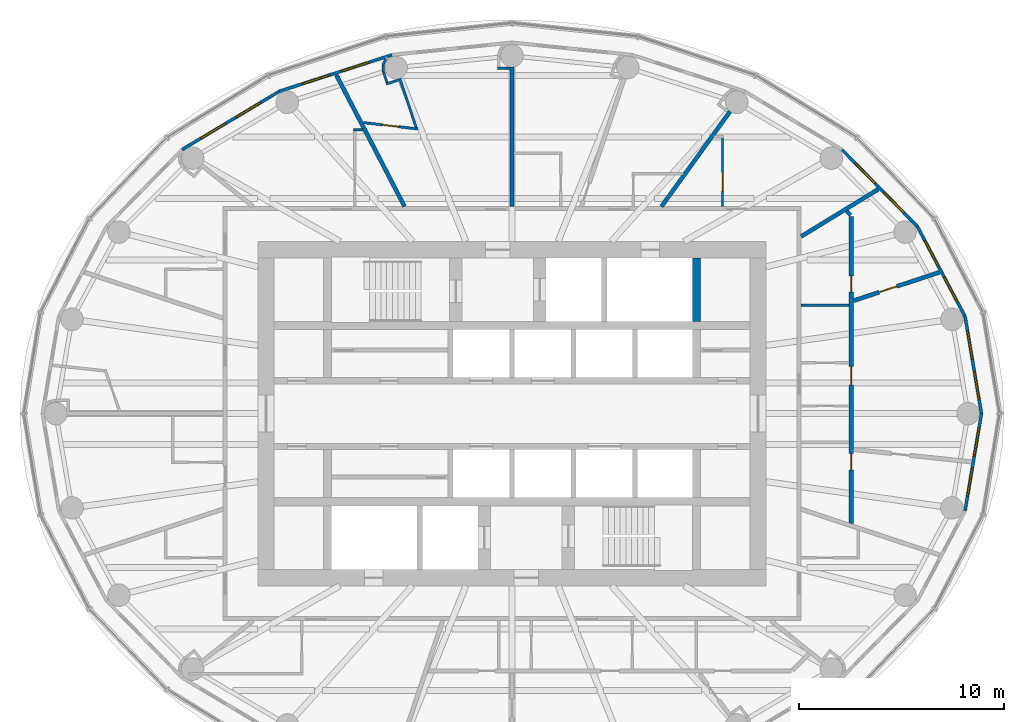
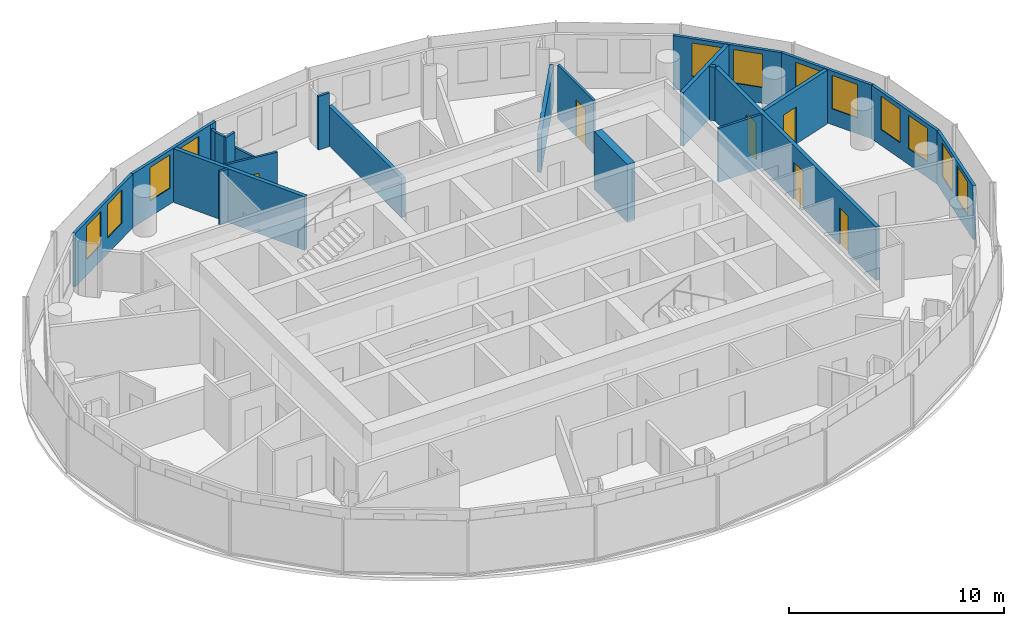
# One storey, part 11 of 14: 24 walls, 12 windows, 6 doors, 18 openings.
"""IFC4 building model written with IfcOpenShell, lengths in metres."""

from ifc_helpers import new_model, si_unit, direction, frame, frame_2d, origin, place, context, subcontext, project, spatial, rectangle, extrude, material, layer, layer_set, type_object, element, fill, save


model = new_model("IFC4")

# Units and contexts
model_context = context("Model", 3, precision=1e-05, world=origin(), true_north=direction((0.0, 1.0)))
body_context = subcontext(model_context, "Body", "Model", "MODEL_VIEW")
ifc_project = project(units=[si_unit("LENGTHUNIT", "METRE"), si_unit("AREAUNIT", "SQUARE_METRE"), si_unit("VOLUMEUNIT", "CUBIC_METRE"), si_unit("PLANEANGLEUNIT", "RADIAN"), si_unit("MASSUNIT", "GRAM", prefix="KILO")], contexts=[model_context])

# Site, building, storey
site_placement = place(None, origin())
site = spatial("IfcSite", under=ifc_project, at=site_placement, CompositionType="ELEMENT")
building_placement = place(site_placement, origin())
building = spatial("IfcBuilding", under=site, at=building_placement, Name="Hankou Lantern Tower", CompositionType="ELEMENT")
storey_placement = place(building_placement, frame((0.0, 0.0, 183.0)))
storey = spatial("IfcBuildingStorey", under=building, at=storey_placement, Name="L49", CompositionType="ELEMENT", Elevation=183.0)

# Wall
ifc_material_1 = material(Name="Concrete C60", Category="concrete")
ifc_layer_1 = layer(ifc_material_1, 0.39990234375)
ifc_layer_set_1 = layer_set([ifc_layer_1], Name="Concrete C60")
wall_type_1 = type_object("IfcWallType", Name="CW4 CORE CROSS WALL 400", PredefinedType="SHEAR", material=ifc_layer_set_1)
wall_1_placement = place(storey_placement, frame((9.0, 4.5, 0.0), z_axis=(0.0, 0.0, 1.0), x_axis=(0.0, 1.0, 0.0)))
element("IfcWall", 1, at=wall_1_placement, inside=storey, type_object=wall_type_1, Name="Core strip wall L49", PredefinedType="SHEAR", context=body_context, shape_type="SweptSolid", body=[
    extrude(rectangle(XDim=3.10009765625, YDim=0.39990234375, at=frame_2d((1.550048828125, 0.0))), origin(), (0.0, 0.0, 1.0), 3.300048828125),
])

# Wall, openings, windows
ifc_material_2 = material(Name="Aluminium spandrel panel on steel studs", Category="steel")
ifc_layer_2 = layer(ifc_material_2, 0.14990234375)
ifc_layer_set_2 = layer_set([ifc_layer_2], Name="Aluminium spandrel panel on steel studs")
wall_type_2 = type_object("IfcWallType", Name="EW1 INNER SKIN WALL 150", PredefinedType="ELEMENTEDWALL", material=ifc_layer_set_2)
wall_2_placement = place(storey_placement, frame((22.89990234375, 0.0, 0.0), z_axis=(0.0, 0.0, 1.0), x_axis=(-0.166162111254, 0.986098449843, 0.0)))
wall_2 = element("IfcWall", 2, at=wall_2_placement, inside=storey, type_object=wall_type_2, Name="Inner skin R01-R02 L49", PredefinedType="ELEMENTEDWALL", context=body_context, shape_type="SweptSolid", body=[
    extrude(rectangle(XDim=4.8046875, YDim=0.14990234375, at=frame_2d((2.40234375, 0.0))), origin(), (0.0, 0.0, 1.0), 3.050048828125),
])
opening_1_placement = place(wall_2_placement, frame((0.7021484375, 0.0, 0.89990234375)))
opening_1 = element("IfcOpeningElement", 3, at=opening_1_placement, cuts=wall_2, Name="Opening W3", PredefinedType="OPENING", context=body_context, shape_type="SweptSolid", body=[
    extrude(rectangle(XDim=1.39990234375, YDim=1.89990234375, at=frame_2d((0.699951171875, 0.949951171875))), frame((0.0, 0.0849609375, 0.0), z_axis=(0.0, -1.0, 0.0), x_axis=(1.0, 0.0, 0.0)), (0.0, 0.0, 1.0), 0.169921875),
])
opening_2_placement = place(wall_2_placement, frame((2.7021484375, 0.0, 0.89990234375)))
opening_2 = element("IfcOpeningElement", 4, at=opening_2_placement, cuts=wall_2, Name="Opening W3", PredefinedType="OPENING", context=body_context, shape_type="SweptSolid", body=[
    extrude(rectangle(XDim=1.39990234375, YDim=1.89990234375, at=frame_2d((0.699951171875, 0.949951171875))), frame((0.0, 0.0849609375, 0.0), z_axis=(0.0, -1.0, 0.0), x_axis=(1.0, 0.0, 0.0)), (0.0, 0.0, 1.0), 0.169921875),
])
ifc_material_3 = material(Name="Aluminium framed double glazed window", Category="aluminium")
window_type = type_object("IfcWindowType", Name="W3 GUEST ROOM WINDOW 1400X1900", PartitioningType="DOUBLE_PANEL_VERTICAL", PredefinedType="WINDOW", material=ifc_material_3)
window_1_placement = place(opening_1_placement, origin())
window_1 = element("IfcWindow", 5, at=window_1_placement, inside=storey, type_object=window_type, Name="Window R01.1 L49", OverallHeight=1.89990234375, OverallWidth=1.39990234375, PartitioningType="SINGLE_PANEL", PredefinedType="WINDOW", context=body_context, shape_type="SweptSolid", body=[
    extrude(rectangle(XDim=1.39990234375, YDim=1.89990234375, at=frame_2d((0.699951171875, 0.949951171875))), frame((0.0, 0.030029296875, 0.0), z_axis=(0.0, -1.0, 0.0), x_axis=(1.0, 0.0, 0.0)), (0.0, 0.0, 1.0), 0.06005859375),
])
fill(opening_1, window_1)
window_2_placement = place(opening_2_placement, origin())
window_2 = element("IfcWindow", 6, at=window_2_placement, inside=storey, type_object=window_type, Name="Window R01.2 L49", OverallHeight=1.89990234375, OverallWidth=1.39990234375, PartitioningType="SINGLE_PANEL", PredefinedType="WINDOW", context=body_context, shape_type="SweptSolid", body=[
    extrude(rectangle(XDim=1.39990234375, YDim=1.89990234375, at=frame_2d((0.699951171875, 0.949951171875))), frame((0.0, 0.030029296875, 0.0), z_axis=(0.0, -1.0, 0.0), x_axis=(1.0, 0.0, 0.0)), (0.0, 0.0, 1.0), 0.06005859375),
])
fill(opening_2, window_2)

wall_3_placement = place(storey_placement, frame((22.1015625, 4.73779296875, 0.0), z_axis=(0.0, 0.0, 1.0), x_axis=(-0.468428906714, 0.883501193748, 0.0)))
wall_3 = element("IfcWall", 7, at=wall_3_placement, inside=storey, type_object=wall_type_2, Name="Inner skin R02-R03 L49", PredefinedType="ELEMENTEDWALL", context=body_context, shape_type="SweptSolid", body=[
    extrude(rectangle(XDim=4.9736328125, YDim=0.14990234375, at=frame_2d((2.48681640625, 0.0))), origin(), (0.0, 0.0, 1.0), 3.050048828125),
])
opening_3_placement = place(wall_3_placement, frame((0.786865234375, 0.0, 0.89990234375)))
opening_3 = element("IfcOpeningElement", 8, at=opening_3_placement, cuts=wall_3, Name="Opening W3", PredefinedType="OPENING", context=body_context, shape_type="SweptSolid", body=[
    extrude(rectangle(XDim=1.39990234375, YDim=1.89990234375, at=frame_2d((0.699951171875, 0.949951171875))), frame((0.0, 0.0849609375, 0.0), z_axis=(0.0, -1.0, 0.0), x_axis=(1.0, 0.0, 0.0)), (0.0, 0.0, 1.0), 0.169921875),
])
opening_4_placement = place(wall_3_placement, frame((2.786865234375, 0.0, 0.89990234375)))
opening_4 = element("IfcOpeningElement", 9, at=opening_4_placement, cuts=wall_3, Name="Opening W3", PredefinedType="OPENING", context=body_context, shape_type="SweptSolid", body=[
    extrude(rectangle(XDim=1.39990234375, YDim=1.89990234375, at=frame_2d((0.699951171875, 0.949951171875))), frame((0.0, 0.0849609375, 0.0), z_axis=(0.0, -1.0, 0.0), x_axis=(1.0, 0.0, 0.0)), (0.0, 0.0, 1.0), 0.169921875),
])
window_3_placement = place(opening_3_placement, origin())
window_3 = element("IfcWindow", 10, at=window_3_placement, inside=storey, type_object=window_type, Name="Window R02.1 L49", OverallHeight=1.89990234375, OverallWidth=1.39990234375, PartitioningType="SINGLE_PANEL", PredefinedType="WINDOW", context=body_context, shape_type="SweptSolid", body=[
    extrude(rectangle(XDim=1.39990234375, YDim=1.89990234375, at=frame_2d((0.699951171875, 0.949951171875))), frame((0.0, 0.030029296875, 0.0), z_axis=(0.0, -1.0, 0.0), x_axis=(1.0, 0.0, 0.0)), (0.0, 0.0, 1.0), 0.06005859375),
])
fill(opening_3, window_3)
window_4_placement = place(opening_4_placement, origin())
window_4 = element("IfcWindow", 11, at=window_4_placement, inside=storey, type_object=window_type, Name="Window R02.2 L49", OverallHeight=1.89990234375, OverallWidth=1.39990234375, PartitioningType="SINGLE_PANEL", PredefinedType="WINDOW", context=body_context, shape_type="SweptSolid", body=[
    extrude(rectangle(XDim=1.39990234375, YDim=1.89990234375, at=frame_2d((0.699951171875, 0.949951171875))), frame((0.0, 0.030029296875, 0.0), z_axis=(0.0, -1.0, 0.0), x_axis=(1.0, 0.0, 0.0)), (0.0, 0.0, 1.0), 0.06005859375),
])
fill(opening_4, window_4)

wall_4_placement = place(storey_placement, frame((19.771728515625, 9.132080078125, 0.0), z_axis=(0.0, 0.0, 1.0), x_axis=(-0.700727467776, 0.71342905457, 0.0)))
wall_4 = element("IfcWall", 12, at=wall_4_placement, inside=storey, type_object=wall_type_2, Name="Inner skin R03-R04 L49", PredefinedType="ELEMENTEDWALL", context=body_context, shape_type="SweptSolid", body=[
    extrude(rectangle(XDim=5.247314453125, YDim=0.14990234375, at=frame_2d((2.62353515625, 0.0))), origin(), (0.0, 0.0, 1.0), 3.050048828125),
])
opening_5_placement = place(wall_4_placement, frame((0.923583984375, 0.0, 0.89990234375)))
opening_5 = element("IfcOpeningElement", 13, at=opening_5_placement, cuts=wall_4, Name="Opening W3", PredefinedType="OPENING", context=body_context, shape_type="SweptSolid", body=[
    extrude(rectangle(XDim=1.39990234375, YDim=1.89990234375, at=frame_2d((0.699951171875, 0.949951171875))), frame((0.0, 0.0849609375, 0.0), z_axis=(0.0, -1.0, 0.0), x_axis=(1.0, 0.0, 0.0)), (0.0, 0.0, 1.0), 0.169921875),
])
opening_6_placement = place(wall_4_placement, frame((2.923583984375, 0.0, 0.89990234375)))
opening_6 = element("IfcOpeningElement", 14, at=opening_6_placement, cuts=wall_4, Name="Opening W3", PredefinedType="OPENING", context=body_context, shape_type="SweptSolid", body=[
    extrude(rectangle(XDim=1.39990234375, YDim=1.89990234375, at=frame_2d((0.699951171875, 0.949951171875))), frame((0.0, 0.0849609375, 0.0), z_axis=(0.0, -1.0, 0.0), x_axis=(1.0, 0.0, 0.0)), (0.0, 0.0, 1.0), 0.169921875),
])
window_5_placement = place(opening_5_placement, origin())
window_5 = element("IfcWindow", 15, at=window_5_placement, inside=storey, type_object=window_type, Name="Window R03.1 L49", OverallHeight=1.89990234375, OverallWidth=1.39990234375, PartitioningType="SINGLE_PANEL", PredefinedType="WINDOW", context=body_context, shape_type="SweptSolid", body=[
    extrude(rectangle(XDim=1.39990234375, YDim=1.89990234375, at=frame_2d((0.699951171875, 0.949951171875))), frame((0.0, 0.030029296875, 0.0), z_axis=(0.0, -1.0, 0.0), x_axis=(1.0, 0.0, 0.0)), (0.0, 0.0, 1.0), 0.06005859375),
])
fill(opening_5, window_5)
window_6_placement = place(opening_6_placement, origin())
window_6 = element("IfcWindow", 16, at=window_6_placement, inside=storey, type_object=window_type, Name="Window R03.2 L49", OverallHeight=1.89990234375, OverallWidth=1.39990234375, PartitioningType="SINGLE_PANEL", PredefinedType="WINDOW", context=body_context, shape_type="SweptSolid", body=[
    extrude(rectangle(XDim=1.39990234375, YDim=1.89990234375, at=frame_2d((0.699951171875, 0.949951171875))), frame((0.0, 0.030029296875, 0.0), z_axis=(0.0, -1.0, 0.0), x_axis=(1.0, 0.0, 0.0)), (0.0, 0.0, 1.0), 0.06005859375),
])
fill(opening_6, window_6)

wall_5_placement = place(storey_placement, frame((-5.8603515625, 17.497314453125, 0.0), z_axis=(0.0, 0.0, 1.0), x_axis=(-0.951432482129, -0.307857486429, 0.0)))
wall_5 = element("IfcWall", 17, at=wall_5_placement, inside=storey, type_object=wall_type_2, Name="Inner skin R08-R09 L49", PredefinedType="ELEMENTEDWALL", context=body_context, shape_type="SweptSolid", body=[
    extrude(rectangle(XDim=5.76611328125, YDim=0.14990234375, at=frame_2d((2.883056640625, 0.0))), origin(), (0.0, 0.0, 1.0), 3.050048828125),
])
opening_7_placement = place(wall_5_placement, frame((1.18310546875, 0.0, 0.89990234375)))
opening_7 = element("IfcOpeningElement", 18, at=opening_7_placement, cuts=wall_5, Name="Opening W3", PredefinedType="OPENING", context=body_context, shape_type="SweptSolid", body=[
    extrude(rectangle(XDim=1.39990234375, YDim=1.89990234375, at=frame_2d((0.699951171875, 0.949951171875))), frame((0.0, 0.0849609375, 0.0), z_axis=(0.0, -1.0, 0.0), x_axis=(1.0, 0.0, 0.0)), (0.0, 0.0, 1.0), 0.169921875),
])
opening_8_placement = place(wall_5_placement, frame((3.18310546875, 0.0, 0.89990234375)))
opening_8 = element("IfcOpeningElement", 19, at=opening_8_placement, cuts=wall_5, Name="Opening W3", PredefinedType="OPENING", context=body_context, shape_type="SweptSolid", body=[
    extrude(rectangle(XDim=1.39990234375, YDim=1.89990234375, at=frame_2d((0.699951171875, 0.949951171875))), frame((0.0, 0.0849609375, 0.0), z_axis=(0.0, -1.0, 0.0), x_axis=(1.0, 0.0, 0.0)), (0.0, 0.0, 1.0), 0.169921875),
])
window_7_placement = place(opening_7_placement, origin())
window_7 = element("IfcWindow", 20, at=window_7_placement, inside=storey, type_object=window_type, Name="Window R08.1 L49", OverallHeight=1.89990234375, OverallWidth=1.39990234375, PartitioningType="SINGLE_PANEL", PredefinedType="WINDOW", context=body_context, shape_type="SweptSolid", body=[
    extrude(rectangle(XDim=1.39990234375, YDim=1.89990234375, at=frame_2d((0.699951171875, 0.949951171875))), frame((0.0, 0.030029296875, 0.0), z_axis=(0.0, -1.0, 0.0), x_axis=(1.0, 0.0, 0.0)), (0.0, 0.0, 1.0), 0.06005859375),
])
fill(opening_7, window_7)
window_8_placement = place(opening_8_placement, origin())
window_8 = element("IfcWindow", 21, at=window_8_placement, inside=storey, type_object=window_type, Name="Window R08.2 L49", OverallHeight=1.89990234375, OverallWidth=1.39990234375, PartitioningType="SINGLE_PANEL", PredefinedType="WINDOW", context=body_context, shape_type="SweptSolid", body=[
    extrude(rectangle(XDim=1.39990234375, YDim=1.89990234375, at=frame_2d((0.699951171875, 0.949951171875))), frame((0.0, 0.030029296875, 0.0), z_axis=(0.0, -1.0, 0.0), x_axis=(1.0, 0.0, 0.0)), (0.0, 0.0, 1.0), 0.06005859375),
])
fill(opening_8, window_8)

wall_6_placement = place(storey_placement, frame((-11.346435546875, 15.72216796875, 0.0), z_axis=(0.0, 0.0, 1.0), x_axis=(-0.857695199231, -0.514158482587, 0.0)))
wall_6 = element("IfcWall", 22, at=wall_6_placement, inside=storey, type_object=wall_type_2, Name="Inner skin R09-R10 L49", PredefinedType="ELEMENTEDWALL", context=body_context, shape_type="SweptSolid", body=[
    extrude(rectangle(XDim=5.5361328125, YDim=0.14990234375, at=frame_2d((2.76806640625, 0.0))), origin(), (0.0, 0.0, 1.0), 3.050048828125),
])
opening_9_placement = place(wall_6_placement, frame((1.068115234375, 0.0, 0.89990234375)))
opening_9 = element("IfcOpeningElement", 23, at=opening_9_placement, cuts=wall_6, Name="Opening W3", PredefinedType="OPENING", context=body_context, shape_type="SweptSolid", body=[
    extrude(rectangle(XDim=1.39990234375, YDim=1.89990234375, at=frame_2d((0.699951171875, 0.949951171875))), frame((0.0, 0.0849609375, 0.0), z_axis=(0.0, -1.0, 0.0), x_axis=(1.0, 0.0, 0.0)), (0.0, 0.0, 1.0), 0.169921875),
])
opening_10_placement = place(wall_6_placement, frame((3.068115234375, 0.0, 0.89990234375)))
opening_10 = element("IfcOpeningElement", 24, at=opening_10_placement, cuts=wall_6, Name="Opening W3", PredefinedType="OPENING", context=body_context, shape_type="SweptSolid", body=[
    extrude(rectangle(XDim=1.39990234375, YDim=1.89990234375, at=frame_2d((0.699951171875, 0.949951171875))), frame((0.0, 0.0849609375, 0.0), z_axis=(0.0, -1.0, 0.0), x_axis=(1.0, 0.0, 0.0)), (0.0, 0.0, 1.0), 0.169921875),
])
window_9_placement = place(opening_9_placement, origin())
window_9 = element("IfcWindow", 25, at=window_9_placement, inside=storey, type_object=window_type, Name="Window R09.1 L49", OverallHeight=1.89990234375, OverallWidth=1.39990234375, PartitioningType="SINGLE_PANEL", PredefinedType="WINDOW", context=body_context, shape_type="SweptSolid", body=[
    extrude(rectangle(XDim=1.39990234375, YDim=1.89990234375, at=frame_2d((0.699951171875, 0.949951171875))), frame((0.0, 0.030029296875, 0.0), z_axis=(0.0, -1.0, 0.0), x_axis=(1.0, 0.0, 0.0)), (0.0, 0.0, 1.0), 0.06005859375),
])
fill(opening_9, window_9)
window_10_placement = place(opening_10_placement, origin())
window_10 = element("IfcWindow", 26, at=window_10_placement, inside=storey, type_object=window_type, Name="Window R09.2 L49", OverallHeight=1.89990234375, OverallWidth=1.39990234375, PartitioningType="SINGLE_PANEL", PredefinedType="WINDOW", context=body_context, shape_type="SweptSolid", body=[
    extrude(rectangle(XDim=1.39990234375, YDim=1.89990234375, at=frame_2d((0.699951171875, 0.949951171875))), frame((0.0, 0.030029296875, 0.0), z_axis=(0.0, -1.0, 0.0), x_axis=(1.0, 0.0, 0.0)), (0.0, 0.0, 1.0), 0.06005859375),
])
fill(opening_10, window_10)

wall_7_placement = place(storey_placement, frame((22.1015625, -4.73779296875, 0.0), z_axis=(0.0, 0.0, 1.0), x_axis=(0.166162111254, 0.986098449843, 0.0)))
wall_7 = element("IfcWall", 27, at=wall_7_placement, inside=storey, type_object=wall_type_2, Name="Inner skin R24-R01 L49", PredefinedType="ELEMENTEDWALL", context=body_context, shape_type="SweptSolid", body=[
    extrude(rectangle(XDim=4.8046875, YDim=0.14990234375, at=frame_2d((2.40234375, 0.0))), origin(), (0.0, 0.0, 1.0), 3.050048828125),
])
opening_11_placement = place(wall_7_placement, frame((0.7021484375, 0.0, 0.89990234375)))
opening_11 = element("IfcOpeningElement", 28, at=opening_11_placement, cuts=wall_7, Name="Opening W3", PredefinedType="OPENING", context=body_context, shape_type="SweptSolid", body=[
    extrude(rectangle(XDim=1.39990234375, YDim=1.89990234375, at=frame_2d((0.699951171875, 0.949951171875))), frame((0.0, 0.0849609375, 0.0), z_axis=(0.0, -1.0, 0.0), x_axis=(1.0, 0.0, 0.0)), (0.0, 0.0, 1.0), 0.169921875),
])
opening_12_placement = place(wall_7_placement, frame((2.7021484375, 0.0, 0.89990234375)))
opening_12 = element("IfcOpeningElement", 29, at=opening_12_placement, cuts=wall_7, Name="Opening W3", PredefinedType="OPENING", context=body_context, shape_type="SweptSolid", body=[
    extrude(rectangle(XDim=1.39990234375, YDim=1.89990234375, at=frame_2d((0.699951171875, 0.949951171875))), frame((0.0, 0.0849609375, 0.0), z_axis=(0.0, -1.0, 0.0), x_axis=(1.0, 0.0, 0.0)), (0.0, 0.0, 1.0), 0.169921875),
])
window_11_placement = place(opening_11_placement, origin())
window_11 = element("IfcWindow", 30, at=window_11_placement, inside=storey, type_object=window_type, Name="Window R24.1 L49", OverallHeight=1.89990234375, OverallWidth=1.39990234375, PartitioningType="SINGLE_PANEL", PredefinedType="WINDOW", context=body_context, shape_type="SweptSolid", body=[
    extrude(rectangle(XDim=1.39990234375, YDim=1.89990234375, at=frame_2d((0.699951171875, 0.949951171875))), frame((0.0, 0.030029296875, 0.0), z_axis=(0.0, -1.0, 0.0), x_axis=(1.0, 0.0, 0.0)), (0.0, 0.0, 1.0), 0.06005859375),
])
fill(opening_11, window_11)
window_12_placement = place(opening_12_placement, origin())
window_12 = element("IfcWindow", 31, at=window_12_placement, inside=storey, type_object=window_type, Name="Window R24.2 L49", OverallHeight=1.89990234375, OverallWidth=1.39990234375, PartitioningType="SINGLE_PANEL", PredefinedType="WINDOW", context=body_context, shape_type="SweptSolid", body=[
    extrude(rectangle(XDim=1.39990234375, YDim=1.89990234375, at=frame_2d((0.699951171875, 0.949951171875))), frame((0.0, 0.030029296875, 0.0), z_axis=(0.0, -1.0, 0.0), x_axis=(1.0, 0.0, 0.0)), (0.0, 0.0, 1.0), 0.06005859375),
])
fill(opening_12, window_12)

# Walls
ifc_material_4 = material(Name="Masonry lightweight concrete block", Category="masonry")
ifc_layer_3 = layer(ifc_material_4, 0.199951171875)
ifc_layer_set_3 = layer_set([ifc_layer_3], Name="Masonry lightweight concrete block")
wall_type_3 = type_object("IfcWallType", Name="IW1 GUEST ROOM PARTY WALL 200", PredefinedType="PARTITIONING", material=ifc_layer_set_3)
wall_8_placement = place(storey_placement, frame((14.10009765625, 8.63623046875, 0.0), z_axis=(0.0, 0.0, 1.0), x_axis=(0.852731884196, 0.522348862041, 0.0)))
element("IfcWall", 32, at=wall_8_placement, inside=storey, type_object=wall_type_3, Name="Party wall R03-R04", PredefinedType="PARTITIONING", context=body_context, shape_type="SweptSolid", body=[
    extrude(rectangle(XDim=4.404296875, YDim=0.199951171875, at=frame_2d((2.2021484375, 0.0))), origin(), (0.0, 0.0, 1.0), 3.050048828125),
])
wall_9_placement = place(storey_placement, frame((7.2890625, 10.10009765625, 0.0), z_axis=(0.0, 0.0, 1.0), x_axis=(0.585222595178, 0.810872686735, 0.0)))
element("IfcWall", 33, at=wall_9_placement, inside=storey, type_object=wall_type_3, Name="Party wall R05", PredefinedType="PARTITIONING", context=body_context, shape_type="SweptSolid", body=[
    extrude(rectangle(XDim=5.722412109375, YDim=0.199951171875, at=frame_2d((2.861328125, 0.0))), origin(), (0.0, 0.0, 1.0), 2.14990234375),
])
wall_10_placement = place(storey_placement, frame((0.0, 10.10009765625, 0.0), z_axis=(0.0, 0.0, 1.0), x_axis=(0.0, 1.0, 0.0)))
element("IfcWall", 34, at=wall_10_placement, inside=storey, type_object=wall_type_3, Name="Party wall R07", PredefinedType="PARTITIONING", context=body_context, shape_type="SweptSolid", body=[
    extrude(rectangle(XDim=6.7998046875, YDim=0.199951171875, at=frame_2d((3.39990234375, 0.0))), origin(), (0.0, 0.0, 1.0), 2.25),
])
wall_11_placement = place(storey_placement, frame((-5.239990234375, 10.10009765625, 0.0), z_axis=(0.0, 0.0, 1.0), x_axis=(-0.460532965373, 0.887642601391, 0.0)))
element("IfcWall", 35, at=wall_11_placement, inside=storey, type_object=wall_type_3, Name="Party wall R08-R09", PredefinedType="PARTITIONING", context=body_context, shape_type="SweptSolid", body=[
    extrude(rectangle(XDim=7.2314453125, YDim=0.199951171875, at=frame_2d((3.61572265625, 0.0))), origin(), (0.0, 0.0, 1.0), 3.050048828125),
])
ifc_material_5 = material(Name="Masonry lightweight concrete block", Category="masonry")
ifc_layer_4 = layer(ifc_material_5, 0.1201171875)
ifc_layer_set_4 = layer_set([ifc_layer_4], Name="Masonry lightweight concrete block")
wall_type_4 = type_object("IfcWallType", Name="IW3 BATHROOM WALL 120", PredefinedType="PARTITIONING", material=ifc_layer_set_4)
wall_12_placement = place(storey_placement, frame((14.10009765625, 5.28125, 0.0), z_axis=(0.0, 0.0, 1.0), x_axis=(1.0, 0.0, 0.0)))
element("IfcWall", 36, at=wall_12_placement, inside=storey, type_object=wall_type_4, Name="Box wall 4905 4", PredefinedType="PARTITIONING", context=body_context, shape_type="SweptSolid", body=[
    extrude(rectangle(XDim=2.349853515625, YDim=0.1201171875, at=frame_2d((1.1748046875, 0.0))), origin(), (0.0, 0.0, 1.0), 3.050048828125),
])

# Wall, opening, door
wall_13_placement = place(storey_placement, frame((10.26904296875, 10.10009765625, 0.0), z_axis=(0.0, 0.0, 1.0), x_axis=(0.0, 1.0, 0.0)))
wall_13 = element("IfcWall", 37, at=wall_13_placement, inside=storey, type_object=wall_type_4, Name="Box wall 4906 1", PredefinedType="PARTITIONING", context=body_context, shape_type="SweptSolid", body=[
    extrude(rectangle(XDim=3.33984375, YDim=0.1201171875, at=frame_2d((1.669921875, 0.0))), origin(), (0.0, 0.0, 1.0), 3.050048828125),
])
opening_13_placement = place(wall_13_placement, frame((0.75, 0.0, 0.0)))
opening_13 = element("IfcOpeningElement", 38, at=opening_13_placement, cuts=wall_13, Name="Opening D26", PredefinedType="OPENING", context=body_context, shape_type="SweptSolid", body=[
    extrude(rectangle(XDim=0.89990234375, YDim=2.10009765625, at=frame_2d((0.449951171875, 1.050048828125))), frame((0.0, 0.070068359375, 0.0), z_axis=(0.0, -1.0, 0.0), x_axis=(1.0, 0.0, 0.0)), (0.0, 0.0, 1.0), 0.14013671875),
])
ifc_material_6 = material(Name="Timber door leaf", Category="wood")
door_type_1 = type_object("IfcDoorType", Name="D26 ACCESSIBLE BATHROOM DOOR 900X2100", OperationType="SLIDING_TO_LEFT", PredefinedType="DOOR", material=ifc_material_6)
door_1_placement = place(opening_13_placement, origin())
door_1 = element("IfcDoor", 39, at=door_1_placement, inside=storey, type_object=door_type_1, Name="Accessible bathroom 4906 door", OperationType="SLIDING_TO_LEFT", OverallHeight=2.10009765625, OverallWidth=0.89990234375, PredefinedType="DOOR", context=body_context, shape_type="SweptSolid", body=[
    extrude(rectangle(XDim=0.89990234375, YDim=2.10009765625, at=frame_2d((0.449951171875, 1.050048828125))), frame((0.0, 0.02490234375, 0.0), z_axis=(0.0, -1.0, 0.0), x_axis=(1.0, 0.0, 0.0)), (0.0, 0.0, 1.0), 0.050048828125),
])
fill(opening_13, door_1)

wall_14_placement = place(storey_placement, frame((-7.2529296875, 14.197021484375, 0.0), z_axis=(0.0, 0.0, 1.0), x_axis=(0.993128188393, -0.117031625725, 0.0)))
wall_14 = element("IfcWall", 40, at=wall_14_placement, inside=storey, type_object=wall_type_4, Name="Box wall 4908 1", PredefinedType="PARTITIONING", context=body_context, shape_type="SweptSolid", body=[
    extrude(rectangle(XDim=2.678466796875, YDim=0.1201171875, at=frame_2d((1.33935546875, 0.0))), origin(), (0.0, 0.0, 1.0), 3.050048828125),
])
opening_14_placement = place(wall_14_placement, frame((0.939208984375, 0.0, 0.0)))
opening_14 = element("IfcOpeningElement", 41, at=opening_14_placement, cuts=wall_14, Name="Opening D3", PredefinedType="OPENING", context=body_context, shape_type="SweptSolid", body=[
    extrude(rectangle(XDim=0.800048828125, YDim=2.10009765625, at=frame_2d((0.39990234375, 1.050048828125))), frame((0.0, 0.070068359375, 0.0), z_axis=(0.0, -1.0, 0.0), x_axis=(1.0, 0.0, 0.0)), (0.0, 0.0, 1.0), 0.14013671875),
])
ifc_material_7 = material(Name="Timber door leaf", Category="wood")
door_type_2 = type_object("IfcDoorType", Name="D3 BATHROOM DOOR 800X2100", OperationType="SINGLE_SWING_LEFT", PredefinedType="DOOR", material=ifc_material_7)
door_2_placement = place(opening_14_placement, origin())
door_2 = element("IfcDoor", 42, at=door_2_placement, inside=storey, type_object=door_type_2, Name="En-suite bathroom 4908 door", OperationType="SINGLE_SWING_RIGHT", OverallHeight=2.10009765625, OverallWidth=0.800048828125, PredefinedType="DOOR", context=body_context, shape_type="SweptSolid", body=[
    extrude(rectangle(XDim=0.800048828125, YDim=2.10009765625, at=frame_2d((0.39990234375, 1.050048828125))), frame((0.0, 0.02490234375, 0.0), z_axis=(0.0, -1.0, 0.0), x_axis=(1.0, 0.0, 0.0)), (0.0, 0.0, 1.0), 0.050048828125),
])
fill(opening_14, door_2)

# Walls
wall_15_placement = place(storey_placement, frame((-4.67138671875, 13.947509765625, 0.0), z_axis=(0.0, 0.0, 1.0), x_axis=(-0.317669167093, 0.948201613729, 0.0)))
element("IfcWall", 43, at=wall_15_placement, inside=storey, type_object=wall_type_4, Name="Box wall 4908 2", PredefinedType="PARTITIONING", context=body_context, shape_type="SweptSolid", body=[
    extrude(rectangle(XDim=2.5400390625, YDim=0.1201171875, at=frame_2d((1.27001953125, 0.0))), origin(), (0.0, 0.0, 1.0), 2.14990234375),
])
wall_16_placement = place(storey_placement, frame((-5.51611328125, 16.280029296875, 0.0), z_axis=(0.0, 0.0, 1.0), x_axis=(-0.948157944392, -0.317799484717, 0.0)))
element("IfcWall", 44, at=wall_16_placement, inside=storey, type_object=wall_type_4, Name="Column casing 4908 return", PredefinedType="PARTITIONING", context=body_context, shape_type="SweptSolid", body=[
    extrude(rectangle(XDim=0.652099609375, YDim=0.1201171875, at=frame_2d((0.326171875, 0.0))), origin(), (0.0, 0.0, 1.0), 3.050048828125),
])
wall_17_placement = place(storey_placement, frame((-6.0966796875, 16.148681640625, 0.0), z_axis=(0.0, 0.0, 1.0), x_axis=(-0.317292604854, 0.948327687514, 0.0)))
element("IfcWall", 45, at=wall_17_placement, inside=storey, type_object=wall_type_4, Name="Column casing 4908", PredefinedType="PARTITIONING", context=body_context, shape_type="SweptSolid", body=[
    extrude(rectangle(XDim=0.550048828125, YDim=0.1201171875, at=frame_2d((0.27490234375, 0.0))), origin(), (0.0, 0.0, 1.0), 3.050048828125),
])
for number, where, z_axis, x_axis, name in (
    (46, (-6.271240234375, 16.67041015625, 0.0), (0.0, 0.0, 1.0), (-0.061477694849, 0.998108457552, 0.0), "Column casing 4908"),
    (47, (-6.2919921875, 17.00732421875, 0.0), (0.0, 0.0, 1.0), (0.445477128334, 0.895293319606, 0.0), "Column casing 4908"),
):
    element("IfcWall", number, at=place(storey_placement, frame(where, z_axis=z_axis, x_axis=x_axis)), inside=storey, type_object=wall_type_4, Name=name, PredefinedType="PARTITIONING", context=body_context, shape_type="SweptSolid", body=[
        extrude(rectangle(XDim=0.337646484375, YDim=0.1201171875, at=frame_2d((0.1689453125, 0.0))), origin(), (0.0, 0.0, 1.0), 3.050048828125),
    ])
wall_18_placement = place(storey_placement, frame((-7.28564453125, 13.85009765625, 0.0), z_axis=(0.0, 0.0, 1.0), x_axis=(-1.0, 0.0, 0.0)))
element("IfcWall", 48, at=wall_18_placement, inside=storey, type_object=wall_type_4, Name="Box wall 4909 1", PredefinedType="PARTITIONING", context=body_context, shape_type="SweptSolid", body=[
    extrude(rectangle(XDim=0.4443359375, YDim=0.1201171875, at=frame_2d((0.22216796875, 0.0))), origin(), (0.0, 0.0, 1.0), 3.050048828125),
])
ifc_material_8 = material(Name="Masonry lightweight concrete block", Category="masonry")
ifc_layer_5 = layer(ifc_material_8, 0.1201171875)
ifc_layer_set_5 = layer_set([ifc_layer_5], Name="Masonry lightweight concrete block")
wall_type_5 = type_object("IfcWallType", Name="IW4 PARTITION 120", PredefinedType="PARTITIONING", material=ifc_layer_set_5)
wall_19_placement = place(storey_placement, frame((-0.10009765625, 16.840087890625, 0.0), z_axis=(0.0, 0.0, 1.0), x_axis=(-1.0, 0.0, 0.0)))
element("IfcWall", 49, at=wall_19_placement, inside=storey, type_object=wall_type_5, Name="Column casing R07 return", PredefinedType="PARTITIONING", context=body_context, shape_type="SweptSolid", body=[
    extrude(rectangle(XDim=0.612060546875, YDim=0.1201171875, at=frame_2d((0.30615234375, 0.0))), origin(), (0.0, 0.0, 1.0), 3.050048828125),
])

# Wall, openings, doors
ifc_material_9 = material(Name="Masonry lightweight concrete block", Category="masonry")
ifc_layer_6 = layer(ifc_material_9, 0.199951171875)
ifc_layer_set_6 = layer_set([ifc_layer_6], Name="Masonry lightweight concrete block")
wall_type_6 = type_object("IfcWallType", Name="IW6 SUITE PARTITION 200", PredefinedType="PARTITIONING", material=ifc_layer_set_6)
wall_20_placement = place(storey_placement, frame((16.550048828125, -5.35009765625, 0.0), z_axis=(0.0, 0.0, 1.0), x_axis=(0.0, 1.0, 0.0)))
wall_20 = element("IfcWall", 50, at=wall_20_placement, inside=storey, type_object=wall_type_6, Name="Suite foyer wall 4905", PredefinedType="PARTITIONING", context=body_context, shape_type="SweptSolid", body=[
    extrude(rectangle(XDim=14.958740234375, YDim=0.199951171875, at=frame_2d((7.4794921875, 0.0))), origin(), (0.0, 0.0, 1.0), 3.050048828125),
])
opening_15_placement = place(wall_20_placement, frame((2.597900390625, 0.0, 0.0)))
opening_15 = element("IfcOpeningElement", 51, at=opening_15_placement, cuts=wall_20, Name="Opening D3", PredefinedType="OPENING", context=body_context, shape_type="SweptSolid", body=[
    extrude(rectangle(XDim=0.800048828125, YDim=2.10009765625, at=frame_2d((0.39990234375, 1.050048828125))), frame((0.0, 0.10986328125, 0.0), z_axis=(0.0, -1.0, 0.0), x_axis=(1.0, 0.0, 0.0)), (0.0, 0.0, 1.0), 0.219970703125),
])
opening_16_placement = place(wall_20_placement, frame((11.27001953125, 0.0, 0.0)))
opening_16 = element("IfcOpeningElement", 52, at=opening_16_placement, cuts=wall_20, Name="Opening D3", PredefinedType="OPENING", context=body_context, shape_type="SweptSolid", body=[
    extrude(rectangle(XDim=0.800048828125, YDim=2.10009765625, at=frame_2d((0.39990234375, 1.050048828125))), frame((0.0, 0.10986328125, 0.0), z_axis=(0.0, -1.0, 0.0), x_axis=(1.0, 0.0, 0.0)), (0.0, 0.0, 1.0), 0.219970703125),
])
opening_17_placement = place(wall_20_placement, frame((6.7568359375, 0.0, 0.0)))
opening_17 = element("IfcOpeningElement", 53, at=opening_17_placement, cuts=wall_20, Name="Opening D27", PredefinedType="OPENING", context=body_context, shape_type="SweptSolid", body=[
    extrude(rectangle(XDim=0.89990234375, YDim=2.10009765625, at=frame_2d((0.449951171875, 1.050048828125))), frame((0.0, 0.10986328125, 0.0), z_axis=(0.0, -1.0, 0.0), x_axis=(1.0, 0.0, 0.0)), (0.0, 0.0, 1.0), 0.219970703125),
])
ifc_material_10 = material(Name="Timber door leaf", Category="wood")
door_type_3 = type_object("IfcDoorType", Name="D27 INTERNAL DOOR 900X2100", OperationType="SINGLE_SWING_LEFT", PredefinedType="DOOR", material=ifc_material_10)
door_3_placement = place(opening_17_placement, origin())
door_3 = element("IfcDoor", 54, at=door_3_placement, inside=storey, type_object=door_type_3, Name="Family suite 4905 living room door", OperationType="SINGLE_SWING_RIGHT", OverallHeight=2.10009765625, OverallWidth=0.89990234375, PredefinedType="DOOR", context=body_context, shape_type="SweptSolid", body=[
    extrude(rectangle(XDim=0.89990234375, YDim=2.10009765625, at=frame_2d((0.449951171875, 1.050048828125))), frame((0.0, 0.02490234375, 0.0), z_axis=(0.0, -1.0, 0.0), x_axis=(1.0, 0.0, 0.0)), (0.0, 0.0, 1.0), 0.050048828125),
])
fill(opening_17, door_3)
door_4_placement = place(opening_15_placement, origin())
door_4 = element("IfcDoor", 55, at=door_4_placement, inside=storey, type_object=door_type_2, Name="Family suite 4905 bathroom door", OperationType="SINGLE_SWING_RIGHT", OverallHeight=2.10009765625, OverallWidth=0.800048828125, PredefinedType="DOOR", context=body_context, shape_type="SweptSolid", body=[
    extrude(rectangle(XDim=0.800048828125, YDim=2.10009765625, at=frame_2d((0.39990234375, 1.050048828125))), frame((0.0, 0.02490234375, 0.0), z_axis=(0.0, -1.0, 0.0), x_axis=(1.0, 0.0, 0.0)), (0.0, 0.0, 1.0), 0.050048828125),
])
fill(opening_15, door_4)
door_5_placement = place(opening_16_placement, origin())
door_5 = element("IfcDoor", 56, at=door_5_placement, inside=storey, type_object=door_type_2, Name="Family suite 4905 second bathroom door", OperationType="SINGLE_SWING_LEFT", OverallHeight=2.10009765625, OverallWidth=0.800048828125, PredefinedType="DOOR", context=body_context, shape_type="SweptSolid", body=[
    extrude(rectangle(XDim=0.800048828125, YDim=2.10009765625, at=frame_2d((0.39990234375, 1.050048828125))), frame((0.0, 0.02490234375, 0.0), z_axis=(0.0, -1.0, 0.0), x_axis=(1.0, 0.0, 0.0)), (0.0, 0.0, 1.0), 0.050048828125),
])
fill(opening_16, door_5)

# Wall
wall_21_placement = place(storey_placement, frame((16.520751953125, 9.67919921875, 0.0), z_axis=(0.0, 0.0, 1.0), x_axis=(-0.707106781187, 0.707106781187, 0.0)))
element("IfcWall", 57, at=wall_21_placement, inside=storey, type_object=wall_type_6, Name="Suite foyer wall 4905", PredefinedType="PARTITIONING", context=body_context, shape_type="SweptSolid", body=[
    extrude(rectangle(XDim=0.27685546875, YDim=0.199951171875, at=frame_2d((0.138427734375, 0.0))), origin(), (0.0, 0.0, 1.0), 3.050048828125),
])

# Wall, opening, door
wall_22_placement = place(storey_placement, frame((16.664306640625, 5.50927734375, 0.0), z_axis=(0.0, 0.0, 1.0), x_axis=(0.949461375992, 0.313883888563, 0.0)))
wall_22 = element("IfcWall", 58, at=wall_22_placement, inside=storey, type_object=wall_type_6, Name="Suite partition R02-R03", PredefinedType="PARTITIONING", context=body_context, shape_type="SweptSolid", body=[
    extrude(rectangle(XDim=4.40771484375, YDim=0.199951171875, at=frame_2d((2.203857421875, 0.0))), origin(), (0.0, 0.0, 1.0), 3.050048828125),
])
opening_18_placement = place(wall_22_placement, frame((1.320068359375, 0.0, 0.0)))
opening_18 = element("IfcOpeningElement", 59, at=opening_18_placement, cuts=wall_22, Name="Opening D27", PredefinedType="OPENING", context=body_context, shape_type="SweptSolid", body=[
    extrude(rectangle(XDim=0.89990234375, YDim=2.10009765625, at=frame_2d((0.449951171875, 1.050048828125))), frame((0.0, 0.10986328125, 0.0), z_axis=(0.0, -1.0, 0.0), x_axis=(1.0, 0.0, 0.0)), (0.0, 0.0, 1.0), 0.219970703125),
])
door_6_placement = place(opening_18_placement, origin())
door_6 = element("IfcDoor", 60, at=door_6_placement, inside=storey, type_object=door_type_3, Name="Family suite 4905 second bedroom door", OperationType="SINGLE_SWING_LEFT", OverallHeight=2.10009765625, OverallWidth=0.89990234375, PredefinedType="DOOR", context=body_context, shape_type="SweptSolid", body=[
    extrude(rectangle(XDim=0.89990234375, YDim=2.10009765625, at=frame_2d((0.449951171875, 1.050048828125))), frame((0.0, 0.02490234375, 0.0), z_axis=(0.0, -1.0, 0.0), x_axis=(1.0, 0.0, 0.0)), (0.0, 0.0, 1.0), 0.050048828125),
])
fill(opening_18, door_6)

save(model, "model.ifc")
